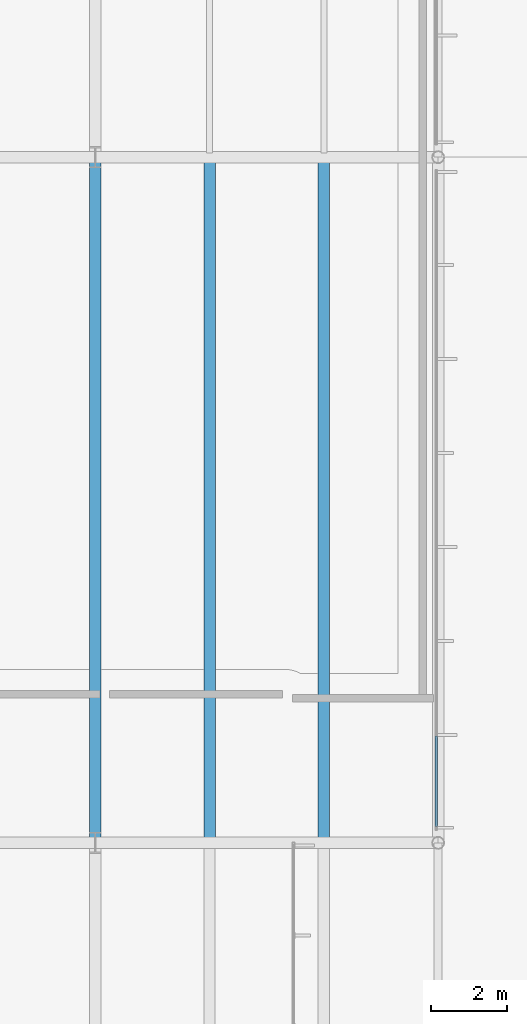
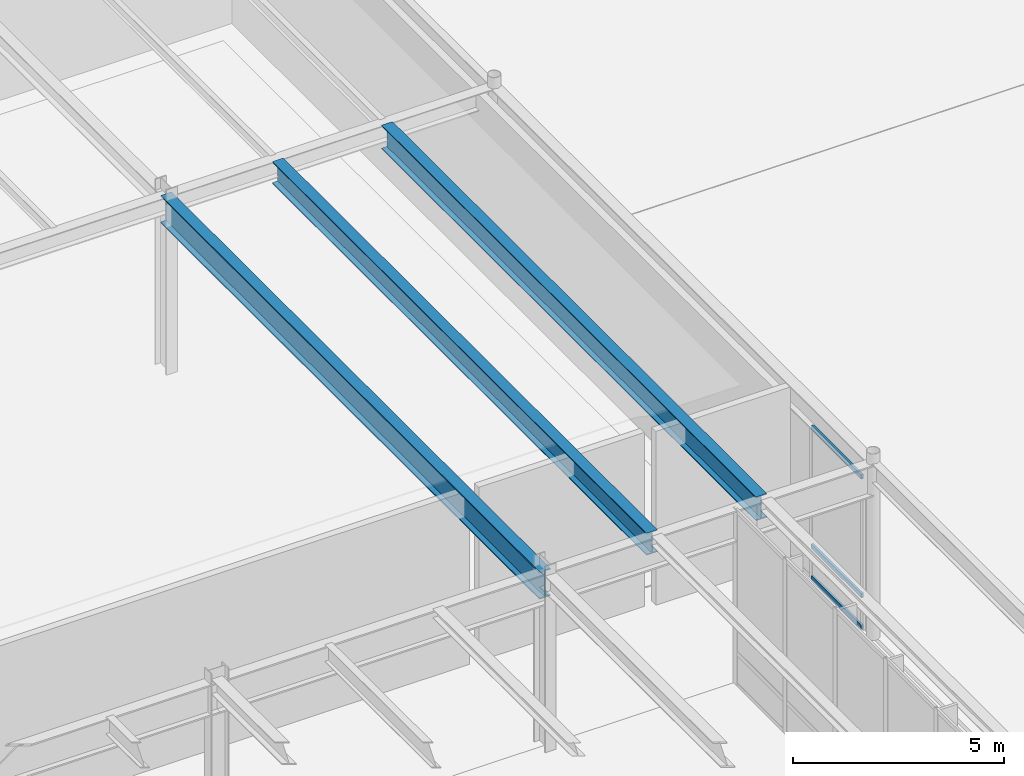
# One storey, part 72 of 143: 3 beams, 3 members, 1 element without a shape of its own.
"""IFC4 building model written with IfcOpenShell, lengths in metres."""

from ifc_helpers import new_model, si_unit, direction, frame, origin, origin_2d, place, context, subcontext, project, spatial, hollow_rectangle, i_section, extrude, material, layer, layer_set, material_profile, profile_set, type_object, element, aggregate, save


model = new_model("IFC4")

# Units and contexts
model_context = context("Model", 3, precision=1e-05, world=origin(), true_north=direction((0.0, 1.0)))
body_context = subcontext(model_context, "Body", "Model", "MODEL_VIEW")
ifc_project = project(units=[si_unit("LENGTHUNIT", "METRE"), si_unit("AREAUNIT", "SQUARE_METRE"), si_unit("VOLUMEUNIT", "CUBIC_METRE"), si_unit("PLANEANGLEUNIT", "RADIAN"), si_unit("MASSUNIT", "GRAM", prefix="KILO")], contexts=[model_context])

# Site, building, storey
site_placement = place(None, origin())
site = spatial("IfcSite", under=ifc_project, at=site_placement, CompositionType="ELEMENT")
building_placement = place(site_placement, origin())
building = spatial("IfcBuilding", under=site, at=building_placement, Name="Montelvaro Courts of Justice", CompositionType="ELEMENT")
storey_placement = place(building_placement, origin())
storey = spatial("IfcBuildingStorey", under=building, at=storey_placement, Name="L00", CompositionType="ELEMENT", Elevation=0.0)

# Beams
ifc_material_1 = material(Name="Steel S355", Category="steel")
ifc_material_profile_1 = material_profile(ifc_material_1, i_section(OverallWidth=0.300048828125, OverallDepth=0.639892578125, WebThickness=0.013427734375, FlangeThickness=0.02587890625, at=origin_2d()), Name="HEA 650")
ifc_profile_set_1 = profile_set([ifc_material_profile_1], Name="Steel S355")
beam_type_1 = type_object("IfcBeamType", Name="Beam_HEA650", PredefinedType="USERDEFINED", material=ifc_profile_set_1)
beam_1_placement = place(storey_placement, frame((75.0, 78.110107421875, 4.760009765625), z_axis=(0.0, 1.0, 0.0), x_axis=(-1.0, 0.0, 0.0)))
element("IfcBeam", 1, at=beam_1_placement, inside=storey, type_object=beam_type_1, Name="Beam B-22 L00", ObjectType="GIRDER", PredefinedType="USERDEFINED", context=body_context, shape_type="SweptSolid", body=[
    extrude(i_section(OverallWidth=0.300048828125, OverallDepth=0.639892578125, WebThickness=0.013427734375, FlangeThickness=0.02587890625, at=origin_2d()), origin(), (0.0, 0.0, 1.0), 17.77978515625),
])
ifc_material_profile_2 = material_profile(ifc_material_1, i_section(OverallWidth=0.300048828125, OverallDepth=0.68994140625, WebThickness=0.014404296875, FlangeThickness=0.027099609375, at=origin_2d()), Name="HEA 700")
ifc_profile_set_2 = profile_set([ifc_material_profile_2], Name="Steel S355")
beam_type_2 = type_object("IfcBeamType", Name="Beam_HEA700", PredefinedType="USERDEFINED", material=ifc_profile_set_2)
beam_2_placement = place(storey_placement, frame((78.0, 78.110107421875, 4.735107421875), z_axis=(0.0, 1.0, 0.0), x_axis=(-1.0, 0.0, 0.0)))
element("IfcBeam", 2, at=beam_2_placement, inside=storey, type_object=beam_type_2, Name="Beam B-23 L00", ObjectType="GIRDER", PredefinedType="USERDEFINED", context=body_context, shape_type="SweptSolid", body=[
    extrude(i_section(OverallWidth=0.300048828125, OverallDepth=0.68994140625, WebThickness=0.014404296875, FlangeThickness=0.027099609375, at=origin_2d()), origin(), (0.0, 0.0, 1.0), 17.77978515625),
])
ifc_material_profile_3 = material_profile(ifc_material_1, i_section(OverallWidth=0.300048828125, OverallDepth=0.800048828125, WebThickness=0.017578125, FlangeThickness=0.032958984375, at=origin_2d()), Name="HEB 800")
ifc_profile_set_3 = profile_set([ifc_material_profile_3], Name="Steel S355")
beam_type_3 = type_object("IfcBeamType", Name="Beam_HEB800", PredefinedType="USERDEFINED", material=ifc_profile_set_3)
beam_3_placement = place(storey_placement, frame((72.0, 78.0, 4.679931640625), z_axis=(0.0, 1.0, 0.0), x_axis=(-1.0, 0.0, 0.0)))
element("IfcBeam", 3, at=beam_3_placement, inside=storey, type_object=beam_type_3, Name="Beam B-29 L00", ObjectType="GIRDER", PredefinedType="USERDEFINED", context=body_context, shape_type="SweptSolid", body=[
    extrude(i_section(OverallWidth=0.300048828125, OverallDepth=0.800048828125, WebThickness=0.017578125, FlangeThickness=0.032958984375, at=origin_2d()), origin(), (0.0, 0.0, 1.0), 18.0),
])

# Curtain wall, members
ifc_material_2 = material(Name="Anodised aluminium EN AW-6063", Category="aluminium")
ifc_layer = layer(ifc_material_2, 0.159912109375)
ifc_layer_set = layer_set([ifc_layer], Name="Anodised aluminium EN AW-6063")
curtain_wall_type = type_object("IfcCurtainWallType", Name="CurtainWall_02_1727x508", PredefinedType="USERDEFINED", material=ifc_layer_set)
curtain_wall_placement = place(storey_placement, origin())
curtain_wall = element("IfcCurtainWall", 4, at=curtain_wall_placement, inside=storey, type_object=curtain_wall_type, Name="Curtain Wall CW-02 (L00)", ObjectType="CURTAIN WALL", PredefinedType="USERDEFINED")
ifc_material_profile_4 = material_profile(ifc_material_2, hollow_rectangle(XDim=0.06005859375, YDim=0.1298828125, WallThickness=0.00390625, at=origin_2d()), Name="ALU-T 60x130")
ifc_profile_set_4 = profile_set([ifc_material_profile_4], Name="Anodised aluminium EN AW-6063")
member_type = type_object("IfcMemberType", Name="CurtainWall_Transom_60x130", PredefinedType="USERDEFINED", material=ifc_profile_set_4)
member_1_placement = place(storey_placement, frame((80.949951171875, 78.425048828125, 0.030029296875), z_axis=(0.0, 1.0, 0.0), x_axis=(-1.0, 0.0, 0.0)))
member_1 = element("IfcMember", 5, at=member_1_placement, type_object=member_type, Name="CW-02 transom 1.1", ObjectType="TRANSOM", PredefinedType="USERDEFINED", context=body_context, shape_type="SweptSolid", body=[
    extrude(hollow_rectangle(XDim=0.06005859375, YDim=0.1298828125, WallThickness=0.00390625, at=origin_2d()), origin(), (0.0, 0.0, 1.0), 2.377197265625),
])
member_2_placement = place(storey_placement, frame((80.949951171875, 78.425048828125, 0.949951171875), z_axis=(0.0, 1.0, 0.0), x_axis=(-1.0, 0.0, 0.0)))
member_2 = element("IfcMember", 6, at=member_2_placement, type_object=member_type, Name="CW-02 transom 1.2", ObjectType="TRANSOM", PredefinedType="USERDEFINED", context=body_context, shape_type="SweptSolid", body=[
    extrude(hollow_rectangle(XDim=0.06005859375, YDim=0.1298828125, WallThickness=0.00390625, at=origin_2d()), origin(), (0.0, 0.0, 1.0), 2.377197265625),
])
member_3_placement = place(storey_placement, frame((80.949951171875, 78.425048828125, 4.39501953125), z_axis=(0.0, 1.0, 0.0), x_axis=(-1.0, 0.0, 0.0)))
member_3 = element("IfcMember", 7, at=member_3_placement, type_object=member_type, Name="CW-02 transom 1.3", ObjectType="TRANSOM", PredefinedType="USERDEFINED", context=body_context, shape_type="SweptSolid", body=[
    extrude(hollow_rectangle(XDim=0.06005859375, YDim=0.1298828125, WallThickness=0.00390625, at=origin_2d()), origin(), (0.0, 0.0, 1.0), 2.377197265625),
])
aggregate(curtain_wall, [member_1, member_2, member_3])

save(model, "model.ifc")
